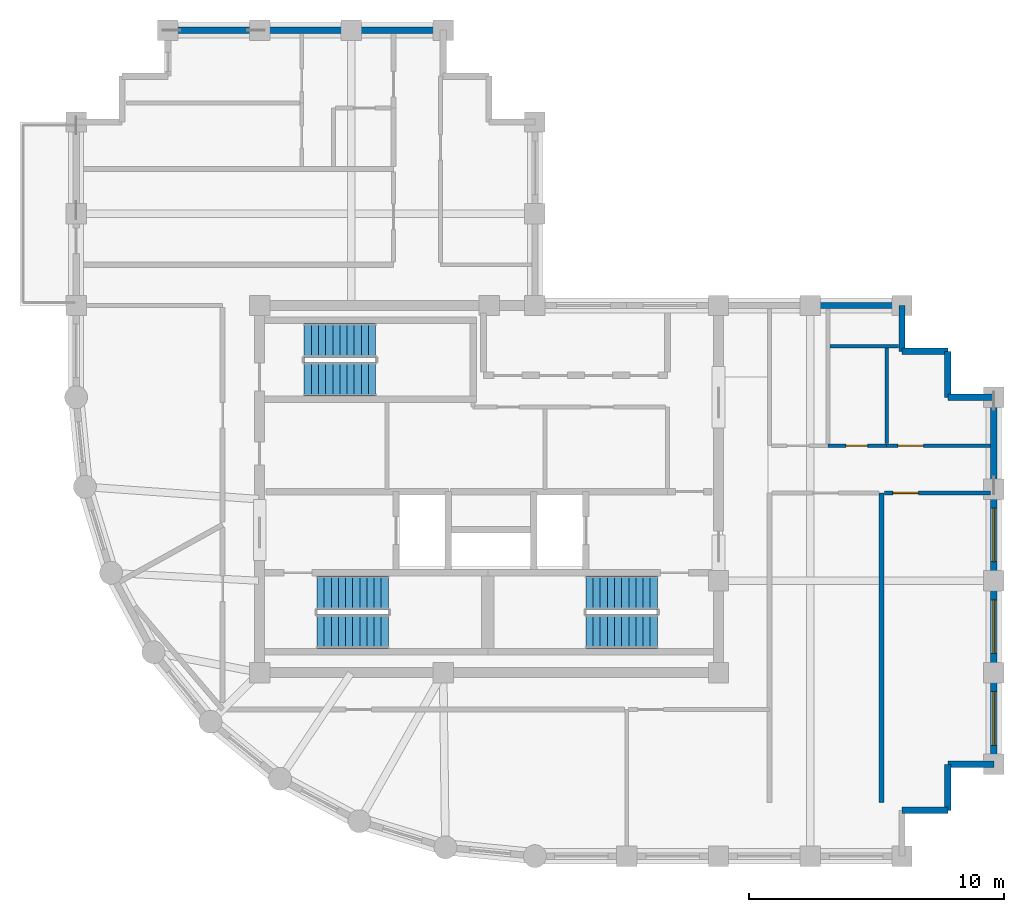
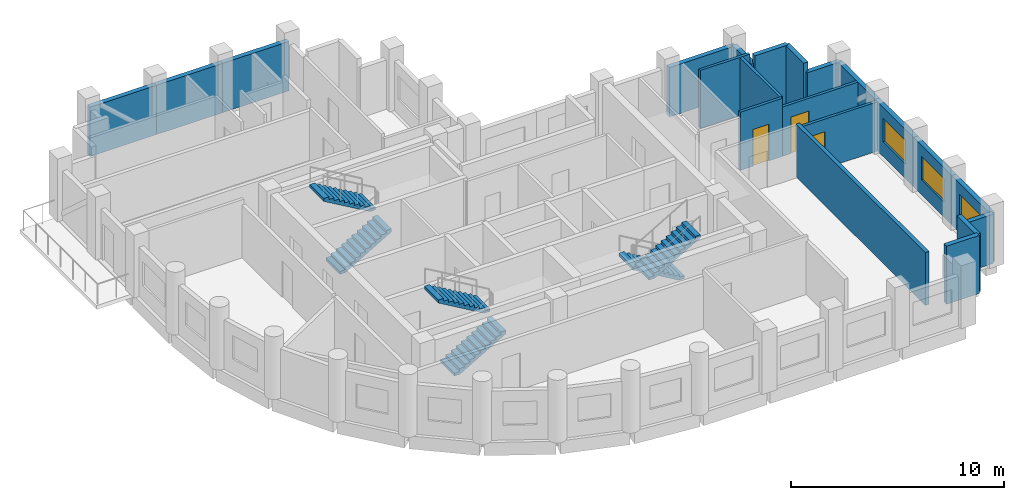
# One storey, part 5 of 6: 21 walls, 6 stair flights, 3 doors, 3 windows, 6 openings, 3 elements without a shape of their own.
"""IFC4 building model written with IfcOpenShell, lengths in metres."""

from ifc_helpers import new_model, si_unit, direction, frame, frame_2d, origin, place, context, subcontext, project, spatial, polyline, rectangle, outline, extrude, material, layer, layer_set, type_object, element, fill, aggregate, save


model = new_model("IFC4")

# Units and contexts
model_context = context("Model", 3, precision=1e-05, world=origin(), true_north=direction((0.0, 1.0)))
body_context = subcontext(model_context, "Body", "Model", "MODEL_VIEW")
ifc_project = project(units=[si_unit("LENGTHUNIT", "METRE"), si_unit("AREAUNIT", "SQUARE_METRE"), si_unit("VOLUMEUNIT", "CUBIC_METRE"), si_unit("PLANEANGLEUNIT", "RADIAN"), si_unit("MASSUNIT", "GRAM", prefix="KILO")], contexts=[model_context])

# Site, building, storey
site_placement = place(None, origin())
site = spatial("IfcSite", under=ifc_project, at=site_placement, CompositionType="ELEMENT")
building_placement = place(site_placement, origin())
building = spatial("IfcBuilding", under=site, at=building_placement, Name="Solnavia Interchange Tower", CompositionType="ELEMENT")
storey_placement = place(building_placement, frame((0.0, 0.0, 270.199951171875)))
storey = spatial("IfcBuildingStorey", under=building, at=storey_placement, Name="L68", CompositionType="ELEMENT", Elevation=270.199951171875)

# Walls
ifc_material_1 = material(Name="Gypsum Acoustic Twin-Stud & Mineral Wool", Category="gypsum")
ifc_layer_1 = layer(ifc_material_1, 0.199951171875)
ifc_layer_set_1 = layer_set([ifc_layer_1], Name="Gypsum Acoustic Twin-Stud & Mineral Wool")
wall_type_1 = type_object("IfcWallType", Name="Wall-ApartmentParty-200", PredefinedType="PARTITIONING", material=ifc_layer_set_1)
wall_1_placement = place(storey_placement, frame((38.800048828125, 5.699951171875, 0.0), z_axis=(0.0, 0.0, 1.0), x_axis=(0.0, 1.0, 0.0)))
element("IfcWall", 1, at=wall_1_placement, inside=storey, type_object=wall_type_1, Name="PTW-L68-16 Interior partition wall", PredefinedType="PARTITIONING", context=body_context, shape_type="SweptSolid", body=[
    extrude(rectangle(XDim=12.150146484375, YDim=0.199951171875, at=frame_2d((6.0751953125, 0.0))), origin(), (0.0, 0.0, 1.0), 3.030029296875),
])
ifc_material_2 = material(Name="Concrete C40/50", Category="concrete")
ifc_layer_2 = layer(ifc_material_2, 0.25)
ifc_layer_set_2 = layer_set([ifc_layer_2], Name="Concrete C40/50")
wall_type_2 = type_object("IfcWallType", Name="Wall-ExtSpandrel-250", PredefinedType="STANDARD", material=ifc_layer_set_2)
wall_2_placement = place(storey_placement, frame((41.39990234375, 5.39990234375, 0.0), z_axis=(0.0, 0.0, 1.0), x_axis=(-1.0, 0.0, 0.0)))
element("IfcWall", 2, at=wall_2_placement, inside=storey, type_object=wall_type_2, Name="EXW-L68-06 Exterior precast spandrel wall", PredefinedType="STANDARD", context=body_context, shape_type="SweptSolid", body=[
    extrude(rectangle(XDim=1.7998046875, YDim=0.25, at=frame_2d((0.89990234375, 0.0))), origin(), (0.0, 0.0, 1.0), 3.3349609375),
])
wall_3_placement = place(storey_placement, frame((41.39990234375, 7.199951171875, 0.0), z_axis=(0.0, 0.0, 1.0), x_axis=(0.0, -1.0, 0.0)))
element("IfcWall", 3, at=wall_3_placement, inside=storey, type_object=wall_type_2, Name="EXW-L68-07 Exterior precast spandrel wall", PredefinedType="STANDARD", context=body_context, shape_type="SweptSolid", body=[
    extrude(rectangle(XDim=1.800048828125, YDim=0.25, at=frame_2d((0.89990234375, 0.0))), origin(), (0.0, 0.0, 1.0), 3.3349609375),
])
wall_4_placement = place(storey_placement, frame((43.199951171875, 7.199951171875, 0.0), z_axis=(0.0, 0.0, 1.0), x_axis=(-1.0, 0.0, 0.0)))
element("IfcWall", 4, at=wall_4_placement, inside=storey, type_object=wall_type_2, Name="EXW-L68-08 Exterior precast spandrel wall", PredefinedType="STANDARD", context=body_context, shape_type="SweptSolid", body=[
    extrude(rectangle(XDim=1.800048828125, YDim=0.25, at=frame_2d((0.89990234375, 0.0))), origin(), (0.0, 0.0, 1.0), 2.830078125),
])

# Wall, opening, window
wall_5_placement = place(storey_placement, frame((43.199951171875, 10.800048828125, 0.0), z_axis=(0.0, 0.0, 1.0), x_axis=(0.0, -1.0, 0.0)))
wall_5 = element("IfcWall", 5, at=wall_5_placement, inside=storey, type_object=wall_type_2, Name="EXW-L68-09 Exterior precast spandrel wall", PredefinedType="STANDARD", context=body_context, shape_type="SweptSolid", body=[
    extrude(rectangle(XDim=3.60009765625, YDim=0.25, at=frame_2d((1.800048828125, 0.0))), origin(), (0.0, 0.0, 1.0), 2.830078125),
])
opening_1_placement = place(wall_5_placement, frame((0.75, 0.0, 0.85009765625)))
opening_1 = element("IfcOpeningElement", 6, at=opening_1_placement, cuts=wall_5, Name="Opening WIN-01", PredefinedType="OPENING", context=body_context, shape_type="SweptSolid", body=[
    extrude(rectangle(XDim=2.10009765625, YDim=1.35009765625, at=frame_2d((1.050048828125, 0.675048828125))), frame((0.0, 0.135009765625, 0.0), z_axis=(0.0, -1.0, 0.0), x_axis=(1.0, 0.0, 0.0)), (0.0, 0.0, 1.0), 0.27001953125),
])
ifc_material_3 = material(Name="Thermal-Break Aluminium & Low-E Glass", Category="aluminium")
window_type = type_object("IfcWindowType", Name="Window-Ribbon-2100x1350", PartitioningType="SINGLE_PANEL", PredefinedType="WINDOW", material=ifc_material_3)
window_1_placement = place(opening_1_placement, origin())
window_1 = element("IfcWindow", 7, at=window_1_placement, inside=storey, type_object=window_type, Name="WIN-L68-09 Facade ribbon window", OverallHeight=1.35009765625, OverallWidth=2.10009765625, PartitioningType="SINGLE_PANEL", PredefinedType="WINDOW", context=body_context, shape_type="SweptSolid", body=[
    extrude(rectangle(XDim=2.10009765625, YDim=1.35009765625, at=frame_2d((1.050048828125, 0.675048828125))), frame((0.0, 0.030029296875, 0.0), z_axis=(0.0, -1.0, 0.0), x_axis=(1.0, 0.0, 0.0)), (0.0, 0.0, 1.0), 0.06005859375),
])
fill(opening_1, window_1)

wall_6_placement = place(storey_placement, frame((43.199951171875, 14.39990234375, 0.0), z_axis=(0.0, 0.0, 1.0), x_axis=(0.0, -1.0, 0.0)))
wall_6 = element("IfcWall", 8, at=wall_6_placement, inside=storey, type_object=wall_type_2, Name="EXW-L68-10 Exterior precast spandrel wall", PredefinedType="STANDARD", context=body_context, shape_type="SweptSolid", body=[
    extrude(rectangle(XDim=3.599853515625, YDim=0.25, at=frame_2d((1.7998046875, 0.0))), origin(), (0.0, 0.0, 1.0), 2.830078125),
])
opening_2_placement = place(wall_6_placement, frame((0.75, 0.0, 0.85009765625)))
opening_2 = element("IfcOpeningElement", 9, at=opening_2_placement, cuts=wall_6, Name="Opening WIN-01", PredefinedType="OPENING", context=body_context, shape_type="SweptSolid", body=[
    extrude(rectangle(XDim=2.10009765625, YDim=1.35009765625, at=frame_2d((1.050048828125, 0.675048828125))), frame((0.0, 0.135009765625, 0.0), z_axis=(0.0, -1.0, 0.0), x_axis=(1.0, 0.0, 0.0)), (0.0, 0.0, 1.0), 0.27001953125),
])
window_2_placement = place(opening_2_placement, origin())
window_2 = element("IfcWindow", 10, at=window_2_placement, inside=storey, type_object=window_type, Name="WIN-L68-10 Facade ribbon window", OverallHeight=1.35009765625, OverallWidth=2.10009765625, PartitioningType="SINGLE_PANEL", PredefinedType="WINDOW", context=body_context, shape_type="SweptSolid", body=[
    extrude(rectangle(XDim=2.10009765625, YDim=1.35009765625, at=frame_2d((1.050048828125, 0.675048828125))), frame((0.0, 0.030029296875, 0.0), z_axis=(0.0, -1.0, 0.0), x_axis=(1.0, 0.0, 0.0)), (0.0, 0.0, 1.0), 0.06005859375),
])
fill(opening_2, window_2)

wall_7_placement = place(storey_placement, frame((43.199951171875, 18.0, 0.0), z_axis=(0.0, 0.0, 1.0), x_axis=(0.0, -1.0, 0.0)))
wall_7 = element("IfcWall", 11, at=wall_7_placement, inside=storey, type_object=wall_type_2, Name="EXW-L68-11 Exterior precast spandrel wall", PredefinedType="STANDARD", context=body_context, shape_type="SweptSolid", body=[
    extrude(rectangle(XDim=3.60009765625, YDim=0.25, at=frame_2d((1.800048828125, 0.0))), origin(), (0.0, 0.0, 1.0), 2.830078125),
])
opening_3_placement = place(wall_7_placement, frame((0.75, 0.0, 0.85009765625)))
opening_3 = element("IfcOpeningElement", 12, at=opening_3_placement, cuts=wall_7, Name="Opening WIN-01", PredefinedType="OPENING", context=body_context, shape_type="SweptSolid", body=[
    extrude(rectangle(XDim=2.10009765625, YDim=1.35009765625, at=frame_2d((1.050048828125, 0.675048828125))), frame((0.0, 0.135009765625, 0.0), z_axis=(0.0, -1.0, 0.0), x_axis=(1.0, 0.0, 0.0)), (0.0, 0.0, 1.0), 0.27001953125),
])
window_3_placement = place(opening_3_placement, origin())
window_3 = element("IfcWindow", 13, at=window_3_placement, inside=storey, type_object=window_type, Name="WIN-L68-11 Facade ribbon window", OverallHeight=1.35009765625, OverallWidth=2.10009765625, PartitioningType="SINGLE_PANEL", PredefinedType="WINDOW", context=body_context, shape_type="SweptSolid", body=[
    extrude(rectangle(XDim=2.10009765625, YDim=1.35009765625, at=frame_2d((1.050048828125, 0.675048828125))), frame((0.0, 0.030029296875, 0.0), z_axis=(0.0, -1.0, 0.0), x_axis=(1.0, 0.0, 0.0)), (0.0, 0.0, 1.0), 0.06005859375),
])
fill(opening_3, window_3)

# Walls
wall_8_placement = place(storey_placement, frame((43.199951171875, 21.60009765625, 0.0), z_axis=(0.0, 0.0, 1.0), x_axis=(0.0, -1.0, 0.0)))
element("IfcWall", 14, at=wall_8_placement, inside=storey, type_object=wall_type_2, Name="EXW-L68-12 Exterior precast spandrel wall", PredefinedType="STANDARD", context=body_context, shape_type="SweptSolid", body=[
    extrude(rectangle(XDim=3.60009765625, YDim=0.25, at=frame_2d((1.800048828125, 0.0))), origin(), (0.0, 0.0, 1.0), 2.830078125),
])
wall_9_placement = place(storey_placement, frame((41.39990234375, 21.60009765625, 0.0), z_axis=(0.0, 0.0, 1.0), x_axis=(1.0, 0.0, 0.0)))
element("IfcWall", 15, at=wall_9_placement, inside=storey, type_object=wall_type_2, Name="EXW-L68-13 Exterior precast spandrel wall", PredefinedType="STANDARD", context=body_context, shape_type="SweptSolid", body=[
    extrude(rectangle(XDim=1.800048828125, YDim=0.25, at=frame_2d((0.89990234375, 0.0))), origin(), (0.0, 0.0, 1.0), 2.830078125),
])
for number, where, z_axis, x_axis, name in (
    (16, (41.39990234375, 23.39990234375, 0.0), (0.0, 0.0, 1.0), (0.0, -1.0, 0.0), "EXW-L68-14 Exterior precast spandrel wall"),
    (17, (39.60009765625, 23.39990234375, 0.0), (0.0, 0.0, 1.0), (1.0, 0.0, 0.0), "EXW-L68-15 Exterior precast spandrel wall"),
):
    element("IfcWall", number, at=place(storey_placement, frame(where, z_axis=z_axis, x_axis=x_axis)), inside=storey, type_object=wall_type_2, Name=name, PredefinedType="STANDARD", context=body_context, shape_type="SweptSolid", body=[
        extrude(rectangle(XDim=1.7998046875, YDim=0.25, at=frame_2d((0.89990234375, 0.0))), origin(), (0.0, 0.0, 1.0), 3.3349609375),
    ])
wall_10_placement = place(storey_placement, frame((39.60009765625, 25.199951171875, 0.0), z_axis=(0.0, 0.0, 1.0), x_axis=(0.0, -1.0, 0.0)))
element("IfcWall", 18, at=wall_10_placement, inside=storey, type_object=wall_type_2, Name="EXW-L68-16 Exterior precast spandrel wall", PredefinedType="STANDARD", context=body_context, shape_type="SweptSolid", body=[
    extrude(rectangle(XDim=1.800048828125, YDim=0.25, at=frame_2d((0.89990234375, 0.0))), origin(), (0.0, 0.0, 1.0), 2.830078125),
])
for number, where, z_axis, x_axis, name in (
    (19, (36.0, 25.199951171875, 0.0), (0.0, 0.0, 1.0), (1.0, 0.0, 0.0), "EXW-L68-17 Exterior precast spandrel wall"),
    (20, (18.0, 36.0, 0.0), (0.0, 0.0, 1.0), (1.0, 0.0, 0.0), "EXW-L68-27 Exterior precast spandrel wall"),
    (21, (14.39990234375, 36.0, 0.0), (0.0, 0.0, 1.0), (1.0, 0.0, 0.0), "EXW-L68-28 Exterior precast spandrel wall"),
):
    element("IfcWall", number, at=place(storey_placement, frame(where, z_axis=z_axis, x_axis=x_axis)), inside=storey, type_object=wall_type_2, Name=name, PredefinedType="STANDARD", context=body_context, shape_type="SweptSolid", body=[
        extrude(rectangle(XDim=3.60009765625, YDim=0.25, at=frame_2d((1.800048828125, 0.0))), origin(), (0.0, 0.0, 1.0), 2.830078125),
    ])
wall_11_placement = place(storey_placement, frame((10.800048828125, 36.0, 0.0), z_axis=(0.0, 0.0, 1.0), x_axis=(1.0, 0.0, 0.0)))
element("IfcWall", 22, at=wall_11_placement, inside=storey, type_object=wall_type_2, Name="EXW-L68-29 Exterior precast spandrel wall", PredefinedType="STANDARD", context=body_context, shape_type="SweptSolid", body=[
    extrude(rectangle(XDim=3.599853515625, YDim=0.25, at=frame_2d((1.7998046875, 0.0))), origin(), (0.0, 0.0, 1.0), 2.830078125),
])

# Wall, opening, door
ifc_material_4 = material(Name="Gypsum Plasterboard & Steel Stud", Category="steel")
ifc_layer_3 = layer(ifc_material_4, 0.14990234375)
ifc_layer_set_3 = layer_set([ifc_layer_3], Name="Gypsum Plasterboard & Steel Stud")
wall_type_3 = type_object("IfcWallType", Name="Wall-Partition-150", PredefinedType="PARTITIONING", material=ifc_layer_set_3)
wall_12_placement = place(storey_placement, frame((38.904052734375, 17.85009765625, 0.0), z_axis=(0.0, 0.0, 1.0), x_axis=(1.0, 0.0, 0.0)))
wall_12 = element("IfcWall", 23, at=wall_12_placement, inside=storey, type_object=wall_type_3, Name="PTW-L68-18 Interior partition wall", PredefinedType="PARTITIONING", context=body_context, shape_type="SweptSolid", body=[
    extrude(rectangle(XDim=4.1669921875, YDim=0.14990234375, at=frame_2d((2.08349609375, 0.0))), origin(), (0.0, 0.0, 1.0), 2.830078125),
])
opening_4_placement = place(wall_12_placement, frame((0.3349609375, 0.0, 0.0)))
opening_4 = element("IfcOpeningElement", 24, at=opening_4_placement, cuts=wall_12, Name="Opening DR-07", PredefinedType="OPENING", context=body_context, shape_type="SweptSolid", body=[
    extrude(rectangle(XDim=1.0, YDim=2.10009765625, at=frame_2d((0.5, 1.050048828125))), frame((0.0, 0.0849609375, 0.0), z_axis=(0.0, -1.0, 0.0), x_axis=(1.0, 0.0, 0.0)), (0.0, 0.0, 1.0), 0.169921875),
])
ifc_material_5 = material(Name="Timber & Acoustic Glazed Office Door", Category="wood")
door_type_1 = type_object("IfcDoorType", Name="Door-Office-1000x2100", OperationType="SINGLE_SWING_RIGHT", PredefinedType="DOOR", material=ifc_material_5)
door_1_placement = place(opening_4_placement, origin())
door_1 = element("IfcDoor", 25, at=door_1_placement, inside=storey, type_object=door_type_1, Name="DR-L68-08 Interior room door", OperationType="SINGLE_SWING_RIGHT", OverallHeight=2.10009765625, OverallWidth=1.0, PredefinedType="DOOR", context=body_context, shape_type="SweptSolid", body=[
    extrude(rectangle(XDim=1.0, YDim=2.10009765625, at=frame_2d((0.5, 1.050048828125))), frame((0.0, 0.02490234375, 0.0), z_axis=(0.0, -1.0, 0.0), x_axis=(1.0, 0.0, 0.0)), (0.0, 0.0, 1.0), 0.050048828125),
])
fill(opening_4, door_1)

wall_13_placement = place(storey_placement, frame((39.0, 19.699951171875, 0.0), z_axis=(0.0, 0.0, 1.0), x_axis=(1.0, 0.0, 0.0)))
wall_13 = element("IfcWall", 26, at=wall_13_placement, inside=storey, type_object=wall_type_3, Name="PTW-L68-19 Interior partition wall", PredefinedType="PARTITIONING", context=body_context, shape_type="SweptSolid", body=[
    extrude(rectangle(XDim=4.071044921875, YDim=0.14990234375, at=frame_2d((2.03564453125, 0.0))), origin(), (0.0, 0.0, 1.0), 2.830078125),
])
opening_5_placement = place(wall_13_placement, frame((0.43798828125, 0.0, 0.0)))
opening_5 = element("IfcOpeningElement", 27, at=opening_5_placement, cuts=wall_13, Name="Opening DR-07", PredefinedType="OPENING", context=body_context, shape_type="SweptSolid", body=[
    extrude(rectangle(XDim=1.0, YDim=2.10009765625, at=frame_2d((0.5, 1.050048828125))), frame((0.0, 0.0849609375, 0.0), z_axis=(0.0, -1.0, 0.0), x_axis=(1.0, 0.0, 0.0)), (0.0, 0.0, 1.0), 0.169921875),
])
door_2_placement = place(opening_5_placement, origin())
door_2 = element("IfcDoor", 28, at=door_2_placement, inside=storey, type_object=door_type_1, Name="DR-L68-09 Interior room door", OperationType="SINGLE_SWING_RIGHT", OverallHeight=2.10009765625, OverallWidth=1.0, PredefinedType="DOOR", context=body_context, shape_type="SweptSolid", body=[
    extrude(rectangle(XDim=1.0, YDim=2.10009765625, at=frame_2d((0.5, 1.050048828125))), frame((0.0, 0.02490234375, 0.0), z_axis=(0.0, -1.0, 0.0), x_axis=(1.0, 0.0, 0.0)), (0.0, 0.0, 1.0), 0.050048828125),
])
fill(opening_5, door_2)

ifc_material_6 = material(Name="Moisture-Resistant Gypsum & Steel Stud", Category="steel")
ifc_layer_4 = layer(ifc_material_6, 0.14990234375)
ifc_layer_set_4 = layer_set([ifc_layer_4], Name="Moisture-Resistant Gypsum & Steel Stud")
wall_type_4 = type_object("IfcWallType", Name="Wall-WetRoom-150", PredefinedType="PARTITIONING", material=ifc_layer_set_4)
wall_14_placement = place(storey_placement, frame((36.699951171875, 19.699951171875, 0.0), z_axis=(0.0, 0.0, 1.0), x_axis=(1.0, 0.0, 0.0)))
wall_14 = element("IfcWall", 29, at=wall_14_placement, inside=storey, type_object=wall_type_4, Name="PTW-L68-04 Interior partition wall", PredefinedType="PARTITIONING", context=body_context, shape_type="SweptSolid", body=[
    extrude(rectangle(XDim=2.300048828125, YDim=0.14990234375, at=frame_2d((1.14990234375, 0.0))), origin(), (0.0, 0.0, 1.0), 3.3349609375),
])
opening_6_placement = place(wall_14_placement, frame((0.697021484375, 0.0, 0.0)))
opening_6 = element("IfcOpeningElement", 30, at=opening_6_placement, cuts=wall_14, Name="Opening DR-10", PredefinedType="OPENING", context=body_context, shape_type="SweptSolid", body=[
    extrude(rectangle(XDim=0.85009765625, YDim=2.10009765625, at=frame_2d((0.425048828125, 1.050048828125))), frame((0.0, 0.0849609375, 0.0), z_axis=(0.0, -1.0, 0.0), x_axis=(1.0, 0.0, 0.0)), (0.0, 0.0, 1.0), 0.169921875),
])
ifc_material_7 = material(Name="Moisture-Resistant Timber Door", Category="wood")
door_type_2 = type_object("IfcDoorType", Name="Door-Bathroom-850x2100", OperationType="SINGLE_SWING_RIGHT", PredefinedType="DOOR", material=ifc_material_7)
door_3_placement = place(opening_6_placement, origin())
door_3 = element("IfcDoor", 31, at=door_3_placement, inside=storey, type_object=door_type_2, Name="DR-L68-02 Interior room door", OperationType="SINGLE_SWING_RIGHT", OverallHeight=2.10009765625, OverallWidth=0.85009765625, PredefinedType="DOOR", context=body_context, shape_type="SweptSolid", body=[
    extrude(rectangle(XDim=0.85009765625, YDim=2.10009765625, at=frame_2d((0.425048828125, 1.050048828125))), frame((0.0, 0.02490234375, 0.0), z_axis=(0.0, -1.0, 0.0), x_axis=(1.0, 0.0, 0.0)), (0.0, 0.0, 1.0), 0.050048828125),
])
fill(opening_6, door_3)

# Walls
wall_15_placement = place(storey_placement, frame((39.0, 19.779052734375, 0.0), z_axis=(0.0, 0.0, 1.0), x_axis=(0.0, 1.0, 0.0)))
element("IfcWall", 32, at=wall_15_placement, inside=storey, type_object=wall_type_4, Name="PTW-L68-05 Interior partition wall", PredefinedType="PARTITIONING", context=body_context, shape_type="SweptSolid", body=[
    extrude(rectangle(XDim=3.821044921875, YDim=0.14990234375, at=frame_2d((1.91064453125, 0.0))), origin(), (0.0, 0.0, 1.0), 3.3349609375),
])
wall_16_placement = place(storey_placement, frame((36.779052734375, 23.60009765625, 0.0), z_axis=(0.0, 0.0, 1.0), x_axis=(1.0, 0.0, 0.0)))
element("IfcWall", 33, at=wall_16_placement, inside=storey, type_object=wall_type_4, Name="PTW-L68-06 Interior partition wall", PredefinedType="PARTITIONING", context=body_context, shape_type="SweptSolid", body=[
    extrude(rectangle(XDim=2.69189453125, YDim=0.14990234375, at=frame_2d((1.345947265625, 0.0))), origin(), (0.0, 0.0, 1.0), 3.3349609375),
])

# Stair, stair flights
stair_type = type_object("IfcStairType", Name="Stair-Dogleg-RC", PredefinedType="HALF_TURN_STAIR", material=ifc_material_2)
stair_1_placement = place(storey_placement, origin())
stair_1 = element("IfcStair", 34, at=stair_1_placement, inside=storey, type_object=stair_type, Name="L68 Core exit stair 1", PredefinedType="HALF_TURN_STAIR")
stair_flight_type = type_object("IfcStairFlightType", Name="StairFlight-RC-150", PredefinedType="STRAIGHT", material=ifc_material_2)
stair_flight_1_placement = place(storey_placement, frame((16.64990234375, 12.409912109375, 0.0), z_axis=(0.0, 0.0, 1.0), x_axis=(1.0, 0.0, 0.0)))
stair_flight_1 = element("IfcStairFlight", 35, at=stair_flight_1_placement, type_object=stair_flight_type, Name="ST-1 flight 1", NumberOfRisers=11, NumberOfTreads=10, PredefinedType="STRAIGHT", RiserHeight=0.163636364, TreadLength=0.28, context=body_context, shape_type="SweptSolid", body=[
    extrude(outline(polyline([(0.0, 0.0), (0.0, 0.16357421875), (0.280029296875, 0.16357421875), (0.280029296875, 0.327392578125), (0.56005859375, 0.327392578125), (0.56005859375, 0.490966796875), (0.840087890625, 0.490966796875), (0.840087890625, 0.654541015625), (1.1201171875, 0.654541015625), (1.1201171875, 0.818115234375), (1.39990234375, 0.818115234375), (1.39990234375, 0.98193359375), (1.679931640625, 0.98193359375), (1.679931640625, 1.1455078125), (1.9599609375, 1.1455078125), (1.9599609375, 1.30908203125), (2.239990234375, 1.30908203125), (2.239990234375, 1.47265625), (2.52001953125, 1.47265625), (2.52001953125, 1.636474609375), (2.800048828125, 1.636474609375), (2.800048828125, 1.800048828125), (2.800048828125, 1.462646484375), (0.297119140625, 0.0), (0.0, 0.0)])), frame((0.0, 0.66015625, 0.0), z_axis=(0.0, -1.0, 0.0), x_axis=(1.0, 0.0, 0.0)), (0.0, 0.0, 1.0), 1.320068359375),
])
stair_flight_2_placement = place(storey_placement, frame((19.449951171875, 13.929931640625, 1.800048828125), z_axis=(0.0, 0.0, 1.0), x_axis=(-1.0, 0.0, 0.0)))
stair_flight_2 = element("IfcStairFlight", 36, at=stair_flight_2_placement, type_object=stair_flight_type, Name="ST-1 flight 2", NumberOfRisers=11, NumberOfTreads=10, PredefinedType="STRAIGHT", RiserHeight=0.163636364, TreadLength=0.28, context=body_context, shape_type="SweptSolid", body=[
    extrude(outline(polyline([(0.0, 0.0), (0.0, 0.16357421875), (0.280029296875, 0.16357421875), (0.280029296875, 0.327392578125), (0.56005859375, 0.327392578125), (0.56005859375, 0.490966796875), (0.840087890625, 0.490966796875), (0.840087890625, 0.654541015625), (1.1201171875, 0.654541015625), (1.1201171875, 0.818115234375), (1.39990234375, 0.818115234375), (1.39990234375, 0.98193359375), (1.679931640625, 0.98193359375), (1.679931640625, 1.1455078125), (1.9599609375, 1.1455078125), (1.9599609375, 1.30908203125), (2.239990234375, 1.30908203125), (2.239990234375, 1.47265625), (2.52001953125, 1.47265625), (2.52001953125, 1.636474609375), (2.800048828125, 1.636474609375), (2.800048828125, 1.800048828125), (2.800048828125, 1.462646484375), (0.297119140625, 0.0), (0.0, 0.0)])), frame((0.0, 0.66015625, 0.0), z_axis=(0.0, -1.0, 0.0), x_axis=(1.0, 0.0, 0.0)), (0.0, 0.0, 1.0), 1.320068359375),
])
aggregate(stair_1, [stair_flight_1, stair_flight_2])

stair_2_placement = place(storey_placement, origin())
stair_2 = element("IfcStair", 37, at=stair_2_placement, inside=storey, type_object=stair_type, Name="L68 Core exit stair 2", PredefinedType="HALF_TURN_STAIR")
stair_flight_3_placement = place(storey_placement, frame((30.0, 13.929931640625, 0.0), z_axis=(0.0, 0.0, 1.0), x_axis=(-1.0, 0.0, 0.0)))
stair_flight_3 = element("IfcStairFlight", 38, at=stair_flight_3_placement, type_object=stair_flight_type, Name="ST-2 flight 1", NumberOfRisers=11, NumberOfTreads=10, PredefinedType="STRAIGHT", RiserHeight=0.163636364, TreadLength=0.28, context=body_context, shape_type="SweptSolid", body=[
    extrude(outline(polyline([(0.0, 0.0), (0.0, 0.16357421875), (0.280029296875, 0.16357421875), (0.280029296875, 0.327392578125), (0.56005859375, 0.327392578125), (0.56005859375, 0.490966796875), (0.840087890625, 0.490966796875), (0.840087890625, 0.654541015625), (1.1201171875, 0.654541015625), (1.1201171875, 0.818115234375), (1.39990234375, 0.818115234375), (1.39990234375, 0.98193359375), (1.679931640625, 0.98193359375), (1.679931640625, 1.1455078125), (1.9599609375, 1.1455078125), (1.9599609375, 1.30908203125), (2.239990234375, 1.30908203125), (2.239990234375, 1.47265625), (2.52001953125, 1.47265625), (2.52001953125, 1.636474609375), (2.800048828125, 1.636474609375), (2.800048828125, 1.800048828125), (2.800048828125, 1.462646484375), (0.297119140625, 0.0), (0.0, 0.0)])), frame((0.0, 0.66015625, 0.0), z_axis=(0.0, -1.0, 0.0), x_axis=(1.0, 0.0, 0.0)), (0.0, 0.0, 1.0), 1.320068359375),
])
stair_flight_4_placement = place(storey_placement, frame((27.199951171875, 12.409912109375, 1.800048828125), z_axis=(0.0, 0.0, 1.0), x_axis=(1.0, 0.0, 0.0)))
stair_flight_4 = element("IfcStairFlight", 39, at=stair_flight_4_placement, type_object=stair_flight_type, Name="ST-2 flight 2", NumberOfRisers=11, NumberOfTreads=10, PredefinedType="STRAIGHT", RiserHeight=0.163636364, TreadLength=0.28, context=body_context, shape_type="SweptSolid", body=[
    extrude(outline(polyline([(0.0, 0.0), (0.0, 0.16357421875), (0.280029296875, 0.16357421875), (0.280029296875, 0.327392578125), (0.56005859375, 0.327392578125), (0.56005859375, 0.490966796875), (0.840087890625, 0.490966796875), (0.840087890625, 0.654541015625), (1.1201171875, 0.654541015625), (1.1201171875, 0.818115234375), (1.39990234375, 0.818115234375), (1.39990234375, 0.98193359375), (1.679931640625, 0.98193359375), (1.679931640625, 1.1455078125), (1.9599609375, 1.1455078125), (1.9599609375, 1.30908203125), (2.239990234375, 1.30908203125), (2.239990234375, 1.47265625), (2.52001953125, 1.47265625), (2.52001953125, 1.636474609375), (2.800048828125, 1.636474609375), (2.800048828125, 1.800048828125), (2.800048828125, 1.462646484375), (0.297119140625, 0.0), (0.0, 0.0)])), frame((0.0, 0.66015625, 0.0), z_axis=(0.0, -1.0, 0.0), x_axis=(1.0, 0.0, 0.0)), (0.0, 0.0, 1.0), 1.320068359375),
])
aggregate(stair_2, [stair_flight_3, stair_flight_4])

stair_3_placement = place(storey_placement, origin())
stair_3 = element("IfcStair", 40, at=stair_3_placement, inside=storey, type_object=stair_type, Name="L68 Core exit stair 3", PredefinedType="HALF_TURN_STAIR")
stair_flight_5_placement = place(storey_placement, frame((16.14990234375, 22.31005859375, 0.0), z_axis=(0.0, 0.0, 1.0), x_axis=(1.0, 0.0, 0.0)))
stair_flight_5 = element("IfcStairFlight", 41, at=stair_flight_5_placement, type_object=stair_flight_type, Name="ST-3 flight 1", NumberOfRisers=11, NumberOfTreads=10, PredefinedType="STRAIGHT", RiserHeight=0.163636364, TreadLength=0.28, context=body_context, shape_type="SweptSolid", body=[
    extrude(outline(polyline([(0.0, 0.0), (0.0, 0.16357421875), (0.280029296875, 0.16357421875), (0.280029296875, 0.327392578125), (0.56005859375, 0.327392578125), (0.56005859375, 0.490966796875), (0.840087890625, 0.490966796875), (0.840087890625, 0.654541015625), (1.1201171875, 0.654541015625), (1.1201171875, 0.818115234375), (1.39990234375, 0.818115234375), (1.39990234375, 0.98193359375), (1.679931640625, 0.98193359375), (1.679931640625, 1.1455078125), (1.9599609375, 1.1455078125), (1.9599609375, 1.30908203125), (2.239990234375, 1.30908203125), (2.239990234375, 1.47265625), (2.52001953125, 1.47265625), (2.52001953125, 1.636474609375), (2.800048828125, 1.636474609375), (2.800048828125, 1.800048828125), (2.800048828125, 1.462646484375), (0.297119140625, 0.0), (0.0, 0.0)])), frame((0.0, 0.66015625, 0.0), z_axis=(0.0, -1.0, 0.0), x_axis=(1.0, 0.0, 0.0)), (0.0, 0.0, 1.0), 1.320068359375),
])
stair_flight_6_placement = place(storey_placement, frame((18.949951171875, 23.830078125, 1.800048828125), z_axis=(0.0, 0.0, 1.0), x_axis=(-1.0, 0.0, 0.0)))
stair_flight_6 = element("IfcStairFlight", 42, at=stair_flight_6_placement, type_object=stair_flight_type, Name="ST-3 flight 2", NumberOfRisers=11, NumberOfTreads=10, PredefinedType="STRAIGHT", RiserHeight=0.163636364, TreadLength=0.28, context=body_context, shape_type="SweptSolid", body=[
    extrude(outline(polyline([(0.0, 0.0), (0.0, 0.16357421875), (0.280029296875, 0.16357421875), (0.280029296875, 0.327392578125), (0.56005859375, 0.327392578125), (0.56005859375, 0.490966796875), (0.840087890625, 0.490966796875), (0.840087890625, 0.654541015625), (1.1201171875, 0.654541015625), (1.1201171875, 0.818115234375), (1.39990234375, 0.818115234375), (1.39990234375, 0.98193359375), (1.679931640625, 0.98193359375), (1.679931640625, 1.1455078125), (1.9599609375, 1.1455078125), (1.9599609375, 1.30908203125), (2.239990234375, 1.30908203125), (2.239990234375, 1.47265625), (2.52001953125, 1.47265625), (2.52001953125, 1.636474609375), (2.800048828125, 1.636474609375), (2.800048828125, 1.800048828125), (2.800048828125, 1.462646484375), (0.297119140625, 0.0), (0.0, 0.0)])), frame((0.0, 0.66015625, 0.0), z_axis=(0.0, -1.0, 0.0), x_axis=(1.0, 0.0, 0.0)), (0.0, 0.0, 1.0), 1.320068359375),
])
aggregate(stair_3, [stair_flight_5, stair_flight_6])

save(model, "model.ifc")
